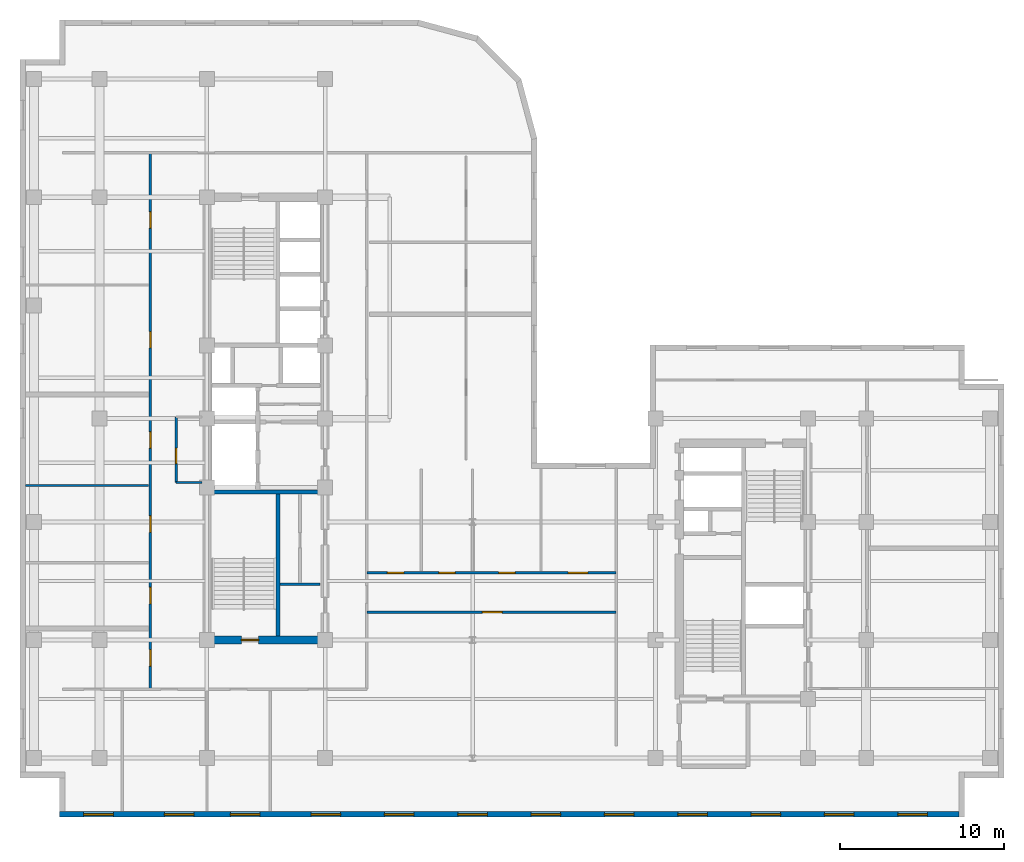
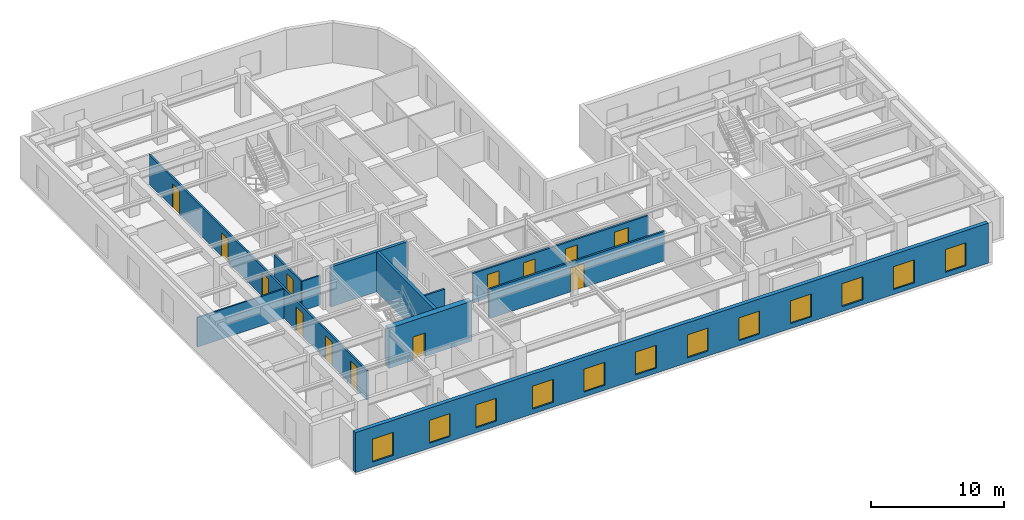
# One storey, part 4 of 11: 13 doors, 12 windows, 11 walls, 25 openings.
"""IFC4 building model written with IfcOpenShell, lengths in metres."""

from ifc_helpers import new_model, entity, si_unit, converted_unit, direction, frame, origin_with_axes, origin_2d_with_axis, place, context, subcontext, project, spatial, polyline, rectangle, outline, extrude, material, layer, layer_set, type_object, element, fill, save


model = new_model("IFC4")

# Units and contexts
model_context = context("Model", 3, precision=1e-05, world=origin_with_axes(), true_north=direction((0.0, 1.0)))
body_context = subcontext(model_context, "Body", "Model", "MODEL_VIEW")
ifc_project = project(units=[si_unit("LENGTHUNIT", "METRE"), si_unit("AREAUNIT", "SQUARE_METRE"), si_unit("VOLUMEUNIT", "CUBIC_METRE"), converted_unit("PLANEANGLEUNIT", "DEGREE", entity("IfcPlaneAngleMeasure", 0.017453292519943295), si_unit("PLANEANGLEUNIT", "RADIAN"), dimensions=[0, 0, 0, 0, 0, 0, 0]), si_unit("MASSUNIT", "GRAM", prefix="KILO"), si_unit("THERMODYNAMICTEMPERATUREUNIT", "KELVIN")], contexts=[model_context])

# Site, building, storey
site_placement = place(None, origin_with_axes())
site = spatial("IfcSite", under=ifc_project, at=site_placement, CompositionType="ELEMENT")
building_placement = place(site_placement, origin_with_axes())
building = spatial("IfcBuilding", under=site, at=building_placement, Name="Varnlund Millrace Tower", CompositionType="ELEMENT")
storey_placement = place(building_placement, frame((0.0, 0.0, 212.1), z_axis=(0.0, 0.0, 1.0), x_axis=(1.0, 0.0, 0.0)))
storey = spatial("IfcBuildingStorey", under=building, at=storey_placement, Name="L52", CompositionType="ELEMENT", Elevation=212.1)

# Wall, opening, door
ifc_material_1 = material(Name="Concrete C70/85", Category="concrete")
ifc_layer_1 = layer(ifc_material_1, 0.5, Name="Concrete C70/85")
ifc_layer_set_1 = layer_set([ifc_layer_1], Name="Concrete C70/85")
wall_type_1 = type_object("IfcWallType", Name="Type-CoreWall-Shear-500-C70", PredefinedType="SHEAR", material=ifc_layer_set_1)
wall_1_placement = place(storey_placement, frame((11.4, 10.8, 0.0), z_axis=(0.0, 0.0, 1.0), x_axis=(1.0, 0.0, 0.0)))
wall_1 = element("IfcWall", 1, at=wall_1_placement, inside=storey, type_object=wall_type_1, Name="Type-CoreWall-Shear-500-C70", PredefinedType="SHEAR", context=body_context, shape_type="SweptSolid", body=[
    extrude(outline(polyline([(0.0, -0.25), (7.2, -0.25), (7.2, 0.25), (0.0, 0.25), (0.0, -0.25)])), origin_with_axes(), (0.0, 0.0, 1.0), 3.66),
])
opening_1_placement = place(wall_1_placement, frame((2.625, 0.0, 0.0), z_axis=(0.0, 0.0, 1.0), x_axis=(1.0, 0.0, 0.0)))
opening_1 = element("IfcOpeningElement", 2, at=opening_1_placement, cuts=wall_1, Name="Opening L52:DR-STA1", PredefinedType="OPENING", context=body_context, shape_type="SweptSolid", body=[
    extrude(rectangle(XDim=1.05, YDim=0.52, at=origin_2d_with_axis()), origin_with_axes(), (0.0, 0.0, 1.0), 2.15),
])
ifc_material_2 = material(Name="Fire-rated hollow steel door", Category="steel")
door_type_1 = type_object("IfcDoorType", Name="Type-FireDoor-Stair-1050X2150", OperationType="NOTDEFINED", PredefinedType="DOOR", material=ifc_material_2)
door_1_placement = place(wall_1_placement, frame((2.625, 0.0, 0.0), z_axis=(0.0, 0.0, 1.0), x_axis=(1.0, 0.0, 0.0)))
door_1 = element("IfcDoor", 3, at=door_1_placement, inside=storey, type_object=door_type_1, Name="Type-FireDoor-Stair-1050X2150", OperationType="SINGLE_SWING_LEFT", OverallHeight=2.15, OverallWidth=1.05, PredefinedType="DOOR", context=body_context, shape_type="SweptSolid", body=[
    extrude(rectangle(XDim=1.05, YDim=0.09, at=origin_2d_with_axis()), origin_with_axes(), (0.0, 0.0, 1.0), 2.15),
])
fill(opening_1, door_1)

# Wall, openings, windows
ifc_material_3 = material(Name="Precast concrete C50/60", Category="concrete")
ifc_layer_2 = layer(ifc_material_3, 0.34, Name="Precast concrete C50/60")
ifc_layer_set_2 = layer_set([ifc_layer_2], Name="Precast concrete C50/60")
wall_type_2 = type_object("IfcWallType", Name="Type-ExtWall-Precast-Upper-340", PredefinedType="SOLIDWALL", material=ifc_layer_set_2)
wall_2_placement = place(storey_placement, frame((57.26, 0.17, 0.0), z_axis=(0.0, 0.0, 1.0), x_axis=(-1.0, 0.0, 0.0)))
wall_2 = element("IfcWall", 4, at=wall_2_placement, inside=storey, type_object=wall_type_2, Name="Type-ExtWall-Precast-Upper-340", PredefinedType="SOLIDWALL", context=body_context, shape_type="SweptSolid", body=[
    extrude(outline(polyline([(0.0, -0.17), (54.86, -0.17), (54.86, 0.17), (0.0, 0.17), (0.0, -0.17)])), origin_with_axes(), (0.0, 0.0, 1.0), 3.66),
])
opening_2_placement = place(wall_2_placement, frame((2.836, 0.0, 0.45), z_axis=(0.0, 0.0, 1.0), x_axis=(1.0, 0.0, 0.0)))
opening_2 = element("IfcOpeningElement", 5, at=opening_2_placement, cuts=wall_2, Name="Opening L52:WN-08", PredefinedType="OPENING", context=body_context, shape_type="SweptSolid", body=[
    extrude(rectangle(XDim=1.8, YDim=0.36, at=origin_2d_with_axis()), origin_with_axes(), (0.0, 0.0, 1.0), 2.1),
])
opening_3_placement = place(wall_2_placement, frame((7.307, 0.0, 0.45), z_axis=(0.0, 0.0, 1.0), x_axis=(1.0, 0.0, 0.0)))
opening_3 = element("IfcOpeningElement", 6, at=opening_3_placement, cuts=wall_2, Name="Opening L52:WN-09", PredefinedType="OPENING", context=body_context, shape_type="SweptSolid", body=[
    extrude(rectangle(XDim=1.8, YDim=0.36, at=origin_2d_with_axis()), origin_with_axes(), (0.0, 0.0, 1.0), 2.1),
])
opening_4_placement = place(wall_2_placement, frame((11.779, 0.0, 0.45), z_axis=(0.0, 0.0, 1.0), x_axis=(1.0, 0.0, 0.0)))
opening_4 = element("IfcOpeningElement", 7, at=opening_4_placement, cuts=wall_2, Name="Opening L52:WN-10", PredefinedType="OPENING", context=body_context, shape_type="SweptSolid", body=[
    extrude(rectangle(XDim=1.8, YDim=0.36, at=origin_2d_with_axis()), origin_with_axes(), (0.0, 0.0, 1.0), 2.1),
])
opening_5_placement = place(wall_2_placement, frame((16.251, 0.0, 0.45), z_axis=(0.0, 0.0, 1.0), x_axis=(1.0, 0.0, 0.0)))
opening_5 = element("IfcOpeningElement", 8, at=opening_5_placement, cuts=wall_2, Name="Opening L52:WN-11", PredefinedType="OPENING", context=body_context, shape_type="SweptSolid", body=[
    extrude(rectangle(XDim=1.8, YDim=0.36, at=origin_2d_with_axis()), origin_with_axes(), (0.0, 0.0, 1.0), 2.1),
])
opening_6_placement = place(wall_2_placement, frame((20.723, 0.0, 0.45), z_axis=(0.0, 0.0, 1.0), x_axis=(1.0, 0.0, 0.0)))
opening_6 = element("IfcOpeningElement", 9, at=opening_6_placement, cuts=wall_2, Name="Opening L52:WN-12", PredefinedType="OPENING", context=body_context, shape_type="SweptSolid", body=[
    extrude(rectangle(XDim=1.8, YDim=0.36, at=origin_2d_with_axis()), origin_with_axes(), (0.0, 0.0, 1.0), 2.1),
])
opening_7_placement = place(wall_2_placement, frame((25.194, 0.0, 0.45), z_axis=(0.0, 0.0, 1.0), x_axis=(1.0, 0.0, 0.0)))
opening_7 = element("IfcOpeningElement", 10, at=opening_7_placement, cuts=wall_2, Name="Opening L52:WN-13", PredefinedType="OPENING", context=body_context, shape_type="SweptSolid", body=[
    extrude(rectangle(XDim=1.8, YDim=0.36, at=origin_2d_with_axis()), origin_with_axes(), (0.0, 0.0, 1.0), 2.1),
])
opening_8_placement = place(wall_2_placement, frame((29.666, 0.0, 0.45), z_axis=(0.0, 0.0, 1.0), x_axis=(1.0, 0.0, 0.0)))
opening_8 = element("IfcOpeningElement", 11, at=opening_8_placement, cuts=wall_2, Name="Opening L52:WN-14", PredefinedType="OPENING", context=body_context, shape_type="SweptSolid", body=[
    extrude(rectangle(XDim=1.8, YDim=0.36, at=origin_2d_with_axis()), origin_with_axes(), (0.0, 0.0, 1.0), 2.1),
])
opening_9_placement = place(wall_2_placement, frame((34.138, 0.0, 0.45), z_axis=(0.0, 0.0, 1.0), x_axis=(1.0, 0.0, 0.0)))
opening_9 = element("IfcOpeningElement", 12, at=opening_9_placement, cuts=wall_2, Name="Opening L52:WN-15", PredefinedType="OPENING", context=body_context, shape_type="SweptSolid", body=[
    extrude(rectangle(XDim=1.8, YDim=0.36, at=origin_2d_with_axis()), origin_with_axes(), (0.0, 0.0, 1.0), 2.1),
])
opening_10_placement = place(wall_2_placement, frame((38.609, 0.0, 0.45), z_axis=(0.0, 0.0, 1.0), x_axis=(1.0, 0.0, 0.0)))
opening_10 = element("IfcOpeningElement", 13, at=opening_10_placement, cuts=wall_2, Name="Opening L52:WN-16", PredefinedType="OPENING", context=body_context, shape_type="SweptSolid", body=[
    extrude(rectangle(XDim=1.8, YDim=0.36, at=origin_2d_with_axis()), origin_with_axes(), (0.0, 0.0, 1.0), 2.1),
])
opening_11_placement = place(wall_2_placement, frame((43.531, 0.0, 0.45), z_axis=(0.0, 0.0, 1.0), x_axis=(1.0, 0.0, 0.0)))
opening_11 = element("IfcOpeningElement", 14, at=opening_11_placement, cuts=wall_2, Name="Opening L52:WN-17", PredefinedType="OPENING", context=body_context, shape_type="SweptSolid", body=[
    extrude(rectangle(XDim=1.8, YDim=0.36, at=origin_2d_with_axis()), origin_with_axes(), (0.0, 0.0, 1.0), 2.1),
])
opening_12_placement = place(wall_2_placement, frame((47.553, 0.0, 0.45), z_axis=(0.0, 0.0, 1.0), x_axis=(1.0, 0.0, 0.0)))
opening_12 = element("IfcOpeningElement", 15, at=opening_12_placement, cuts=wall_2, Name="Opening L52:WN-18", PredefinedType="OPENING", context=body_context, shape_type="SweptSolid", body=[
    extrude(rectangle(XDim=1.8, YDim=0.36, at=origin_2d_with_axis()), origin_with_axes(), (0.0, 0.0, 1.0), 2.1),
])
opening_13_placement = place(wall_2_placement, frame((52.474, 0.0, 0.45), z_axis=(0.0, 0.0, 1.0), x_axis=(1.0, 0.0, 0.0)))
opening_13 = element("IfcOpeningElement", 16, at=opening_13_placement, cuts=wall_2, Name="Opening L52:WN-19", PredefinedType="OPENING", context=body_context, shape_type="SweptSolid", body=[
    extrude(rectangle(XDim=1.8, YDim=0.36, at=origin_2d_with_axis()), origin_with_axes(), (0.0, 0.0, 1.0), 2.1),
])
ifc_material_4 = material(Name="Argon low-e triple glazing in thermally broken bronze frame", Category="glass")
window_type = type_object("IfcWindowType", Name="Type-Window-Punched-1800X2100", PartitioningType="SINGLE_PANEL", PredefinedType="WINDOW", material=ifc_material_4)
window_1_placement = place(wall_2_placement, frame((2.836, 0.0, 0.45), z_axis=(0.0, 0.0, 1.0), x_axis=(1.0, 0.0, 0.0)))
window_1 = element("IfcWindow", 17, at=window_1_placement, inside=storey, type_object=window_type, Name="Type-Window-Punched-1800X2100", OverallHeight=2.1, OverallWidth=1.8, PredefinedType="WINDOW", context=body_context, shape_type="SweptSolid", body=[
    extrude(rectangle(XDim=1.8, YDim=0.09, at=origin_2d_with_axis()), origin_with_axes(), (0.0, 0.0, 1.0), 2.1),
])
fill(opening_2, window_1)
window_2_placement = place(wall_2_placement, frame((7.307, 0.0, 0.45), z_axis=(0.0, 0.0, 1.0), x_axis=(1.0, 0.0, 0.0)))
window_2 = element("IfcWindow", 18, at=window_2_placement, inside=storey, type_object=window_type, Name="Type-Window-Punched-1800X2100", OverallHeight=2.1, OverallWidth=1.8, PredefinedType="WINDOW", context=body_context, shape_type="SweptSolid", body=[
    extrude(rectangle(XDim=1.8, YDim=0.09, at=origin_2d_with_axis()), origin_with_axes(), (0.0, 0.0, 1.0), 2.1),
])
fill(opening_3, window_2)
window_3_placement = place(wall_2_placement, frame((11.779, 0.0, 0.45), z_axis=(0.0, 0.0, 1.0), x_axis=(1.0, 0.0, 0.0)))
window_3 = element("IfcWindow", 19, at=window_3_placement, inside=storey, type_object=window_type, Name="Type-Window-Punched-1800X2100", OverallHeight=2.1, OverallWidth=1.8, PredefinedType="WINDOW", context=body_context, shape_type="SweptSolid", body=[
    extrude(rectangle(XDim=1.8, YDim=0.09, at=origin_2d_with_axis()), origin_with_axes(), (0.0, 0.0, 1.0), 2.1),
])
fill(opening_4, window_3)
window_4_placement = place(wall_2_placement, frame((16.251, 0.0, 0.45), z_axis=(0.0, 0.0, 1.0), x_axis=(1.0, 0.0, 0.0)))
window_4 = element("IfcWindow", 20, at=window_4_placement, inside=storey, type_object=window_type, Name="Type-Window-Punched-1800X2100", OverallHeight=2.1, OverallWidth=1.8, PredefinedType="WINDOW", context=body_context, shape_type="SweptSolid", body=[
    extrude(rectangle(XDim=1.8, YDim=0.09, at=origin_2d_with_axis()), origin_with_axes(), (0.0, 0.0, 1.0), 2.1),
])
fill(opening_5, window_4)
window_5_placement = place(wall_2_placement, frame((20.723, 0.0, 0.45), z_axis=(0.0, 0.0, 1.0), x_axis=(1.0, 0.0, 0.0)))
window_5 = element("IfcWindow", 21, at=window_5_placement, inside=storey, type_object=window_type, Name="Type-Window-Punched-1800X2100", OverallHeight=2.1, OverallWidth=1.8, PredefinedType="WINDOW", context=body_context, shape_type="SweptSolid", body=[
    extrude(rectangle(XDim=1.8, YDim=0.09, at=origin_2d_with_axis()), origin_with_axes(), (0.0, 0.0, 1.0), 2.1),
])
fill(opening_6, window_5)
window_6_placement = place(wall_2_placement, frame((25.194, 0.0, 0.45), z_axis=(0.0, 0.0, 1.0), x_axis=(1.0, 0.0, 0.0)))
window_6 = element("IfcWindow", 22, at=window_6_placement, inside=storey, type_object=window_type, Name="Type-Window-Punched-1800X2100", OverallHeight=2.1, OverallWidth=1.8, PredefinedType="WINDOW", context=body_context, shape_type="SweptSolid", body=[
    extrude(rectangle(XDim=1.8, YDim=0.09, at=origin_2d_with_axis()), origin_with_axes(), (0.0, 0.0, 1.0), 2.1),
])
fill(opening_7, window_6)
window_7_placement = place(wall_2_placement, frame((29.666, 0.0, 0.45), z_axis=(0.0, 0.0, 1.0), x_axis=(1.0, 0.0, 0.0)))
window_7 = element("IfcWindow", 23, at=window_7_placement, inside=storey, type_object=window_type, Name="Type-Window-Punched-1800X2100", OverallHeight=2.1, OverallWidth=1.8, PredefinedType="WINDOW", context=body_context, shape_type="SweptSolid", body=[
    extrude(rectangle(XDim=1.8, YDim=0.09, at=origin_2d_with_axis()), origin_with_axes(), (0.0, 0.0, 1.0), 2.1),
])
fill(opening_8, window_7)
window_8_placement = place(wall_2_placement, frame((34.138, 0.0, 0.45), z_axis=(0.0, 0.0, 1.0), x_axis=(1.0, 0.0, 0.0)))
window_8 = element("IfcWindow", 24, at=window_8_placement, inside=storey, type_object=window_type, Name="Type-Window-Punched-1800X2100", OverallHeight=2.1, OverallWidth=1.8, PredefinedType="WINDOW", context=body_context, shape_type="SweptSolid", body=[
    extrude(rectangle(XDim=1.8, YDim=0.09, at=origin_2d_with_axis()), origin_with_axes(), (0.0, 0.0, 1.0), 2.1),
])
fill(opening_9, window_8)
window_9_placement = place(wall_2_placement, frame((38.609, 0.0, 0.45), z_axis=(0.0, 0.0, 1.0), x_axis=(1.0, 0.0, 0.0)))
window_9 = element("IfcWindow", 25, at=window_9_placement, inside=storey, type_object=window_type, Name="Type-Window-Punched-1800X2100", OverallHeight=2.1, OverallWidth=1.8, PredefinedType="WINDOW", context=body_context, shape_type="SweptSolid", body=[
    extrude(rectangle(XDim=1.8, YDim=0.09, at=origin_2d_with_axis()), origin_with_axes(), (0.0, 0.0, 1.0), 2.1),
])
fill(opening_10, window_9)
window_10_placement = place(wall_2_placement, frame((43.531, 0.0, 0.45), z_axis=(0.0, 0.0, 1.0), x_axis=(1.0, 0.0, 0.0)))
window_10 = element("IfcWindow", 26, at=window_10_placement, inside=storey, type_object=window_type, Name="Type-Window-Punched-1800X2100", OverallHeight=2.1, OverallWidth=1.8, PredefinedType="WINDOW", context=body_context, shape_type="SweptSolid", body=[
    extrude(rectangle(XDim=1.8, YDim=0.09, at=origin_2d_with_axis()), origin_with_axes(), (0.0, 0.0, 1.0), 2.1),
])
fill(opening_11, window_10)
window_11_placement = place(wall_2_placement, frame((47.553, 0.0, 0.45), z_axis=(0.0, 0.0, 1.0), x_axis=(1.0, 0.0, 0.0)))
window_11 = element("IfcWindow", 27, at=window_11_placement, inside=storey, type_object=window_type, Name="Type-Window-Punched-1800X2100", OverallHeight=2.1, OverallWidth=1.8, PredefinedType="WINDOW", context=body_context, shape_type="SweptSolid", body=[
    extrude(rectangle(XDim=1.8, YDim=0.09, at=origin_2d_with_axis()), origin_with_axes(), (0.0, 0.0, 1.0), 2.1),
])
fill(opening_12, window_11)
window_12_placement = place(wall_2_placement, frame((52.474, 0.0, 0.45), z_axis=(0.0, 0.0, 1.0), x_axis=(1.0, 0.0, 0.0)))
window_12 = element("IfcWindow", 28, at=window_12_placement, inside=storey, type_object=window_type, Name="Type-Window-Punched-1800X2100", OverallHeight=2.1, OverallWidth=1.8, PredefinedType="WINDOW", context=body_context, shape_type="SweptSolid", body=[
    extrude(rectangle(XDim=1.8, YDim=0.09, at=origin_2d_with_axis()), origin_with_axes(), (0.0, 0.0, 1.0), 2.1),
])
fill(opening_13, window_12)

# Wall
ifc_material_5 = material(Name="Fire-rated gypsum board on cold-formed steel framing", Category="steel")
ifc_layer_3 = layer(ifc_material_5, 0.16, Name="Fire-rated gypsum board on cold-formed steel framing")
ifc_layer_set_3 = layer_set([ifc_layer_3], Name="Fire-rated gypsum board on cold-formed steel framing")
wall_type_3 = type_object("IfcWallType", Name="Type-Partition-Corridor-160", PredefinedType="PARTITIONING", material=ifc_layer_set_3)
wall_3_placement = place(storey_placement, frame((15.84, 14.2, 0.0), z_axis=(0.0, 0.0, 1.0), x_axis=(1.0, 0.0, 0.0)))
element("IfcWall", 29, at=wall_3_placement, inside=storey, type_object=wall_type_3, Name="Type-Partition-Corridor-160", PredefinedType="PARTITIONING", context=body_context, shape_type="SweptSolid", body=[
    extrude(outline(polyline([(0.0, -0.08), (2.46, -0.08), (2.46, 0.08), (0.0, 0.08), (0.0, -0.08)])), origin_with_axes(), (0.0, 0.0, 1.0), 2.7),
])

# Wall, openings, doors
wall_4_placement = place(storey_placement, frame((7.95, 7.8, 0.0), z_axis=(0.0, 0.0, 1.0), x_axis=(0.0, 1.0, 0.0)))
wall_4 = element("IfcWall", 30, at=wall_4_placement, inside=storey, type_object=wall_type_3, Name="Type-Partition-Corridor-160", PredefinedType="PARTITIONING", context=body_context, shape_type="SweptSolid", body=[
    extrude(outline(polyline([(0.0, -0.08), (32.7, -0.08), (32.7, 0.08), (0.0, 0.08), (0.0, -0.08)])), origin_with_axes(), (0.0, 0.0, 1.0), 2.7),
])
opening_14_placement = place(wall_4_placement, frame((1.9145, 0.0, 0.0), z_axis=(0.0, 0.0, 1.0), x_axis=(1.0, 0.0, 0.0)))
opening_14 = element("IfcOpeningElement", 31, at=opening_14_placement, cuts=wall_4, Name="Opening L52:DR-W-01", PredefinedType="OPENING", context=body_context, shape_type="SweptSolid", body=[
    extrude(rectangle(XDim=1.0, YDim=0.18, at=origin_2d_with_axis()), origin_with_axes(), (0.0, 0.0, 1.0), 2.15),
])
opening_15_placement = place(wall_4_placement, frame((5.705, 0.0, 0.0), z_axis=(0.0, 0.0, 1.0), x_axis=(1.0, 0.0, 0.0)))
opening_15 = element("IfcOpeningElement", 32, at=opening_15_placement, cuts=wall_4, Name="Opening L52:DR-W-02", PredefinedType="OPENING", context=body_context, shape_type="SweptSolid", body=[
    extrude(rectangle(XDim=1.0, YDim=0.18, at=origin_2d_with_axis()), origin_with_axes(), (0.0, 0.0, 1.0), 2.15),
])
opening_16_placement = place(wall_4_placement, frame((10.066, 0.0, 0.0), z_axis=(0.0, 0.0, 1.0), x_axis=(1.0, 0.0, 0.0)))
opening_16 = element("IfcOpeningElement", 33, at=opening_16_placement, cuts=wall_4, Name="Opening L52:DR-W-03", PredefinedType="OPENING", context=body_context, shape_type="SweptSolid", body=[
    extrude(rectangle(XDim=1.0, YDim=0.18, at=origin_2d_with_axis()), origin_with_axes(), (0.0, 0.0, 1.0), 2.15),
])
opening_17_placement = place(wall_4_placement, frame((15.195, 0.0, 0.0), z_axis=(0.0, 0.0, 1.0), x_axis=(1.0, 0.0, 0.0)))
opening_17 = element("IfcOpeningElement", 34, at=opening_17_placement, cuts=wall_4, Name="Opening L52:DR-W-04", PredefinedType="OPENING", context=body_context, shape_type="SweptSolid", body=[
    extrude(rectangle(XDim=1.0, YDim=0.18, at=origin_2d_with_axis()), origin_with_axes(), (0.0, 0.0, 1.0), 2.15),
])
opening_18_placement = place(wall_4_placement, frame((21.311, 0.0, 0.0), z_axis=(0.0, 0.0, 1.0), x_axis=(1.0, 0.0, 0.0)))
opening_18 = element("IfcOpeningElement", 35, at=opening_18_placement, cuts=wall_4, Name="Opening L52:DR-W-05", PredefinedType="OPENING", context=body_context, shape_type="SweptSolid", body=[
    extrude(rectangle(XDim=1.0, YDim=0.18, at=origin_2d_with_axis()), origin_with_axes(), (0.0, 0.0, 1.0), 2.15),
])
opening_19_placement = place(wall_4_placement, frame((28.6115, 0.0, 0.0), z_axis=(0.0, 0.0, 1.0), x_axis=(1.0, 0.0, 0.0)))
opening_19 = element("IfcOpeningElement", 36, at=opening_19_placement, cuts=wall_4, Name="Opening L52:DR-W-06", PredefinedType="OPENING", context=body_context, shape_type="SweptSolid", body=[
    extrude(rectangle(XDim=1.0, YDim=0.18, at=origin_2d_with_axis()), origin_with_axes(), (0.0, 0.0, 1.0), 2.15),
])
ifc_material_6 = material(Name="Solid-core white oak and bronze frame door")
door_type_2 = type_object("IfcDoorType", Name="Type-IntDoor-Office-1000X2150", OperationType="NOTDEFINED", PredefinedType="DOOR", material=ifc_material_6)
door_2_placement = place(wall_4_placement, frame((1.9145, 0.0, 0.0), z_axis=(0.0, 0.0, 1.0), x_axis=(1.0, 0.0, 0.0)))
door_2 = element("IfcDoor", 37, at=door_2_placement, inside=storey, type_object=door_type_2, Name="Type-IntDoor-Office-1000X2150", OperationType="SINGLE_SWING_LEFT", OverallHeight=2.15, OverallWidth=1.0, PredefinedType="DOOR", context=body_context, shape_type="SweptSolid", body=[
    extrude(rectangle(XDim=1.0, YDim=0.09, at=origin_2d_with_axis()), origin_with_axes(), (0.0, 0.0, 1.0), 2.15),
])
fill(opening_14, door_2)
door_3_placement = place(wall_4_placement, frame((5.705, 0.0, 0.0), z_axis=(0.0, 0.0, 1.0), x_axis=(1.0, 0.0, 0.0)))
door_3 = element("IfcDoor", 38, at=door_3_placement, inside=storey, type_object=door_type_2, Name="Type-IntDoor-Office-1000X2150", OperationType="SINGLE_SWING_RIGHT", OverallHeight=2.15, OverallWidth=1.0, PredefinedType="DOOR", context=body_context, shape_type="SweptSolid", body=[
    extrude(rectangle(XDim=1.0, YDim=0.09, at=origin_2d_with_axis()), origin_with_axes(), (0.0, 0.0, 1.0), 2.15),
])
fill(opening_15, door_3)
door_4_placement = place(wall_4_placement, frame((10.066, 0.0, 0.0), z_axis=(0.0, 0.0, 1.0), x_axis=(1.0, 0.0, 0.0)))
door_4 = element("IfcDoor", 39, at=door_4_placement, inside=storey, type_object=door_type_2, Name="Type-IntDoor-Office-1000X2150", OperationType="SINGLE_SWING_LEFT", OverallHeight=2.15, OverallWidth=1.0, PredefinedType="DOOR", context=body_context, shape_type="SweptSolid", body=[
    extrude(rectangle(XDim=1.0, YDim=0.09, at=origin_2d_with_axis()), origin_with_axes(), (0.0, 0.0, 1.0), 2.15),
])
fill(opening_16, door_4)
door_5_placement = place(wall_4_placement, frame((15.195, 0.0, 0.0), z_axis=(0.0, 0.0, 1.0), x_axis=(1.0, 0.0, 0.0)))
door_5 = element("IfcDoor", 40, at=door_5_placement, inside=storey, type_object=door_type_2, Name="Type-IntDoor-Office-1000X2150", OperationType="SINGLE_SWING_RIGHT", OverallHeight=2.15, OverallWidth=1.0, PredefinedType="DOOR", context=body_context, shape_type="SweptSolid", body=[
    extrude(rectangle(XDim=1.0, YDim=0.09, at=origin_2d_with_axis()), origin_with_axes(), (0.0, 0.0, 1.0), 2.15),
])
fill(opening_17, door_5)
door_6_placement = place(wall_4_placement, frame((21.311, 0.0, 0.0), z_axis=(0.0, 0.0, 1.0), x_axis=(1.0, 0.0, 0.0)))
door_6 = element("IfcDoor", 41, at=door_6_placement, inside=storey, type_object=door_type_2, Name="Type-IntDoor-Office-1000X2150", OperationType="SINGLE_SWING_LEFT", OverallHeight=2.15, OverallWidth=1.0, PredefinedType="DOOR", context=body_context, shape_type="SweptSolid", body=[
    extrude(rectangle(XDim=1.0, YDim=0.09, at=origin_2d_with_axis()), origin_with_axes(), (0.0, 0.0, 1.0), 2.15),
])
fill(opening_18, door_6)
door_7_placement = place(wall_4_placement, frame((28.6115, 0.0, 0.0), z_axis=(0.0, 0.0, 1.0), x_axis=(1.0, 0.0, 0.0)))
door_7 = element("IfcDoor", 42, at=door_7_placement, inside=storey, type_object=door_type_2, Name="Type-IntDoor-Office-1000X2150", OperationType="SINGLE_SWING_RIGHT", OverallHeight=2.15, OverallWidth=1.0, PredefinedType="DOOR", context=body_context, shape_type="SweptSolid", body=[
    extrude(rectangle(XDim=1.0, YDim=0.09, at=origin_2d_with_axis()), origin_with_axes(), (0.0, 0.0, 1.0), 2.15),
])
fill(opening_19, door_7)

# Wall, opening, door
wall_5_placement = place(storey_placement, frame((21.15, 12.5, 0.0), z_axis=(0.0, 0.0, 1.0), x_axis=(1.0, 0.0, 0.0)))
wall_5 = element("IfcWall", 43, at=wall_5_placement, inside=storey, type_object=wall_type_3, Name="Type-Partition-Corridor-160", PredefinedType="PARTITIONING", context=body_context, shape_type="SweptSolid", body=[
    extrude(outline(polyline([(0.0, -0.08), (15.2, -0.08), (15.2, 0.08), (0.0, 0.08), (0.0, -0.08)])), origin_with_axes(), (0.0, 0.0, 1.0), 2.7),
])
opening_20_placement = place(wall_5_placement, frame((7.65, 0.0, 0.0), z_axis=(0.0, 0.0, 1.0), x_axis=(1.0, 0.0, 0.0)))
opening_20 = element("IfcOpeningElement", 44, at=opening_20_placement, cuts=wall_5, Name="Opening L52:DR-KNS-01", PredefinedType="OPENING", context=body_context, shape_type="SweptSolid", body=[
    extrude(rectangle(XDim=1.2, YDim=0.18, at=origin_2d_with_axis()), origin_with_axes(), (0.0, 0.0, 1.0), 2.2),
])
ifc_material_7 = material(Name="Wide executive white oak acoustic door")
door_type_3 = type_object("IfcDoorType", Name="Type-IntDoor-Exec-1200X2200", OperationType="NOTDEFINED", PredefinedType="DOOR", material=ifc_material_7)
door_8_placement = place(wall_5_placement, frame((7.65, 0.0, 0.0), z_axis=(0.0, 0.0, 1.0), x_axis=(1.0, 0.0, 0.0)))
door_8 = element("IfcDoor", 45, at=door_8_placement, inside=storey, type_object=door_type_3, Name="Type-IntDoor-Exec-1200X2200", OperationType="SINGLE_SWING_LEFT", OverallHeight=2.2, OverallWidth=1.2, PredefinedType="DOOR", context=body_context, shape_type="SweptSolid", body=[
    extrude(rectangle(XDim=1.2, YDim=0.09, at=origin_2d_with_axis()), origin_with_axes(), (0.0, 0.0, 1.0), 2.2),
])
fill(opening_20, door_8)

# Wall, openings, doors
wall_6_placement = place(storey_placement, frame((21.15, 14.9, 0.0), z_axis=(0.0, 0.0, 1.0), x_axis=(1.0, 0.0, 0.0)))
wall_6 = element("IfcWall", 46, at=wall_6_placement, inside=storey, type_object=wall_type_3, Name="Type-Partition-Corridor-160", PredefinedType="PARTITIONING", context=body_context, shape_type="SweptSolid", body=[
    extrude(outline(polyline([(0.0, -0.08), (15.2, -0.08), (15.2, 0.08), (0.0, 0.08), (0.0, -0.08)])), origin_with_axes(), (0.0, 0.0, 1.0), 2.7),
])
opening_21_placement = place(wall_6_placement, frame((1.753, 0.0, 0.0), z_axis=(0.0, 0.0, 1.0), x_axis=(1.0, 0.0, 0.0)))
opening_21 = element("IfcOpeningElement", 47, at=opening_21_placement, cuts=wall_6, Name="Opening L52:DR-KN-01", PredefinedType="OPENING", context=body_context, shape_type="SweptSolid", body=[
    extrude(rectangle(XDim=1.0, YDim=0.18, at=origin_2d_with_axis()), origin_with_axes(), (0.0, 0.0, 1.0), 2.15),
])
opening_22_placement = place(wall_6_placement, frame((4.888, 0.0, 0.0), z_axis=(0.0, 0.0, 1.0), x_axis=(1.0, 0.0, 0.0)))
opening_22 = element("IfcOpeningElement", 48, at=opening_22_placement, cuts=wall_6, Name="Opening L52:DR-KN-02", PredefinedType="OPENING", context=body_context, shape_type="SweptSolid", body=[
    extrude(rectangle(XDim=1.0, YDim=0.18, at=origin_2d_with_axis()), origin_with_axes(), (0.0, 0.0, 1.0), 2.15),
])
opening_23_placement = place(wall_6_placement, frame((8.534, 0.0, 0.0), z_axis=(0.0, 0.0, 1.0), x_axis=(1.0, 0.0, 0.0)))
opening_23 = element("IfcOpeningElement", 49, at=opening_23_placement, cuts=wall_6, Name="Opening L52:DR-KN-03", PredefinedType="OPENING", context=body_context, shape_type="SweptSolid", body=[
    extrude(rectangle(XDim=1.0, YDim=0.18, at=origin_2d_with_axis()), origin_with_axes(), (0.0, 0.0, 1.0), 2.15),
])
opening_24_placement = place(wall_6_placement, frame((12.869, 0.0, 0.0), z_axis=(0.0, 0.0, 1.0), x_axis=(1.0, 0.0, 0.0)))
opening_24 = element("IfcOpeningElement", 50, at=opening_24_placement, cuts=wall_6, Name="Opening L52:DR-KN-04", PredefinedType="OPENING", context=body_context, shape_type="SweptSolid", body=[
    extrude(rectangle(XDim=1.2, YDim=0.18, at=origin_2d_with_axis()), origin_with_axes(), (0.0, 0.0, 1.0), 2.2),
])
door_9_placement = place(wall_6_placement, frame((12.869, 0.0, 0.0), z_axis=(0.0, 0.0, 1.0), x_axis=(1.0, 0.0, 0.0)))
door_9 = element("IfcDoor", 51, at=door_9_placement, inside=storey, type_object=door_type_3, Name="Type-IntDoor-Exec-1200X2200", OperationType="SINGLE_SWING_RIGHT", OverallHeight=2.2, OverallWidth=1.2, PredefinedType="DOOR", context=body_context, shape_type="SweptSolid", body=[
    extrude(rectangle(XDim=1.2, YDim=0.09, at=origin_2d_with_axis()), origin_with_axes(), (0.0, 0.0, 1.0), 2.2),
])
fill(opening_24, door_9)
door_10_placement = place(wall_6_placement, frame((1.753, 0.0, 0.0), z_axis=(0.0, 0.0, 1.0), x_axis=(1.0, 0.0, 0.0)))
door_10 = element("IfcDoor", 52, at=door_10_placement, inside=storey, type_object=door_type_2, Name="Type-IntDoor-Office-1000X2150", OperationType="SINGLE_SWING_LEFT", OverallHeight=2.15, OverallWidth=1.0, PredefinedType="DOOR", context=body_context, shape_type="SweptSolid", body=[
    extrude(rectangle(XDim=1.0, YDim=0.09, at=origin_2d_with_axis()), origin_with_axes(), (0.0, 0.0, 1.0), 2.15),
])
fill(opening_21, door_10)
door_11_placement = place(wall_6_placement, frame((4.888, 0.0, 0.0), z_axis=(0.0, 0.0, 1.0), x_axis=(1.0, 0.0, 0.0)))
door_11 = element("IfcDoor", 53, at=door_11_placement, inside=storey, type_object=door_type_2, Name="Type-IntDoor-Office-1000X2150", OperationType="SINGLE_SWING_RIGHT", OverallHeight=2.15, OverallWidth=1.0, PredefinedType="DOOR", context=body_context, shape_type="SweptSolid", body=[
    extrude(rectangle(XDim=1.0, YDim=0.09, at=origin_2d_with_axis()), origin_with_axes(), (0.0, 0.0, 1.0), 2.15),
])
fill(opening_22, door_11)
door_12_placement = place(wall_6_placement, frame((8.534, 0.0, 0.0), z_axis=(0.0, 0.0, 1.0), x_axis=(1.0, 0.0, 0.0)))
door_12 = element("IfcDoor", 54, at=door_12_placement, inside=storey, type_object=door_type_2, Name="Type-IntDoor-Office-1000X2150", OperationType="SINGLE_SWING_LEFT", OverallHeight=2.15, OverallWidth=1.0, PredefinedType="DOOR", context=body_context, shape_type="SweptSolid", body=[
    extrude(rectangle(XDim=1.0, YDim=0.09, at=origin_2d_with_axis()), origin_with_axes(), (0.0, 0.0, 1.0), 2.15),
])
fill(opening_23, door_12)

# Wall
ifc_material_8 = material(Name="Gypsum board tenant partition", Category="gypsum")
ifc_layer_4 = layer(ifc_material_8, 0.125, Name="Gypsum board tenant partition")
ifc_layer_set_4 = layer_set([ifc_layer_4], Name="Gypsum board tenant partition")
wall_type_4 = type_object("IfcWallType", Name="Type-Partition-Tenant-125", PredefinedType="PARTITIONING", material=ifc_layer_set_4)
wall_7_placement = place(storey_placement, frame((0.335, 20.221, 0.0), z_axis=(0.0, 0.0, 1.0), x_axis=(1.0, 0.0, 0.0)))
element("IfcWall", 55, at=wall_7_placement, inside=storey, type_object=wall_type_4, Name="Type-Partition-Tenant-125", PredefinedType="PARTITIONING", context=body_context, shape_type="SweptSolid", body=[
    extrude(outline(polyline([(0.0, -0.0625), (7.495, -0.0625), (7.495, 0.0625), (0.0, 0.0625), (0.0, -0.0625)])), origin_with_axes(), (0.0, 0.0, 1.0), 2.7),
])

# Wall, opening, door
ifc_material_9 = material(Name="Moisture-resistant gypsum restroom partition", Category="gypsum")
ifc_layer_5 = layer(ifc_material_9, 0.14, Name="Moisture-resistant gypsum restroom partition")
ifc_layer_set_5 = layer_set([ifc_layer_5], Name="Moisture-resistant gypsum restroom partition")
wall_type_5 = type_object("IfcWallType", Name="Type-Partition-Wet-140", PredefinedType="PARTITIONING", material=ifc_layer_set_5)
wall_8_placement = place(storey_placement, frame((9.52, 20.4, 0.0), z_axis=(0.0, 0.0, 1.0), x_axis=(0.0, 1.0, 0.0)))
wall_8 = element("IfcWall", 56, at=wall_8_placement, inside=storey, type_object=wall_type_5, Name="Type-Partition-Wet-140", PredefinedType="PARTITIONING", context=body_context, shape_type="SweptSolid", body=[
    extrude(outline(polyline([(0.0, -0.07), (4.0, -0.07), (4.0, 0.07), (0.0, 0.07), (0.0, -0.07)])), origin_with_axes(), (0.0, 0.0, 1.0), 2.7),
])
opening_25_placement = place(wall_8_placement, frame((1.625, 0.0, 0.0), z_axis=(0.0, 0.0, 1.0), x_axis=(1.0, 0.0, 0.0)))
opening_25 = element("IfcOpeningElement", 57, at=opening_25_placement, cuts=wall_8, Name="Opening L52:DR-CA-WCW", PredefinedType="OPENING", context=body_context, shape_type="SweptSolid", body=[
    extrude(rectangle(XDim=0.95, YDim=0.16, at=origin_2d_with_axis()), origin_with_axes(), (0.0, 0.0, 1.0), 2.15),
])
ifc_material_10 = material(Name="Solid-core acoustic office door")
door_type_4 = type_object("IfcDoorType", Name="Type-IntDoor-Tenant-950X2150", OperationType="NOTDEFINED", PredefinedType="DOOR", material=ifc_material_10)
door_13_placement = place(wall_8_placement, frame((1.625, 0.0, 0.0), z_axis=(0.0, 0.0, 1.0), x_axis=(1.0, 0.0, 0.0)))
door_13 = element("IfcDoor", 58, at=door_13_placement, inside=storey, type_object=door_type_4, Name="Type-IntDoor-Tenant-950X2150", OperationType="SINGLE_SWING_LEFT", OverallHeight=2.15, OverallWidth=0.95, PredefinedType="DOOR", context=body_context, shape_type="SweptSolid", body=[
    extrude(rectangle(XDim=0.95, YDim=0.084, at=origin_2d_with_axis()), origin_with_axes(), (0.0, 0.0, 1.0), 2.15),
])
fill(opening_25, door_13)

# Walls
wall_9_placement = place(storey_placement, frame((9.52, 20.4, 0.0), z_axis=(0.0, 0.0, 1.0), x_axis=(1.0, 0.0, 0.0)))
element("IfcWall", 59, at=wall_9_placement, inside=storey, type_object=wall_type_5, Name="Type-Partition-Wet-140", PredefinedType="PARTITIONING", context=body_context, shape_type="SweptSolid", body=[
    extrude(outline(polyline([(0.0, -0.07), (1.58, -0.07), (1.58, 0.07), (0.0, 0.07), (0.0, -0.07)])), origin_with_axes(), (0.0, 0.0, 1.0), 2.7),
])
ifc_material_11 = material(Name="Concrete C60/75", Category="concrete")
ifc_layer_6 = layer(ifc_material_11, 0.25, Name="Concrete C60/75")
ifc_layer_set_6 = layer_set([ifc_layer_6], Name="Concrete C60/75")
wall_type_6 = type_object("IfcWallType", Name="Type-StairWall-Shear-250", PredefinedType="SHEAR", material=ifc_layer_set_6)
wall_10_placement = place(storey_placement, frame((15.725, 11.05, 0.0), z_axis=(0.0, 0.0, 1.0), x_axis=(0.0, 1.0, 0.0)))
element("IfcWall", 60, at=wall_10_placement, inside=storey, type_object=wall_type_6, Name="Type-StairWall-Shear-250", PredefinedType="SHEAR", context=body_context, shape_type="SweptSolid", body=[
    extrude(outline(polyline([(0.0, -0.125), (8.65, -0.125), (8.65, 0.125), (0.0, 0.125), (0.0, -0.125)])), origin_with_axes(), (0.0, 0.0, 1.0), 3.66),
])
wall_11_placement = place(storey_placement, frame((11.65, 19.825, 0.0), z_axis=(0.0, 0.0, 1.0), x_axis=(1.0, 0.0, 0.0)))
element("IfcWall", 61, at=wall_11_placement, inside=storey, type_object=wall_type_6, Name="Type-StairWall-Shear-250", PredefinedType="SHEAR", context=body_context, shape_type="SweptSolid", body=[
    extrude(outline(polyline([(0.0, -0.125), (6.7, -0.125), (6.7, 0.125), (0.0, 0.125), (0.0, -0.125)])), origin_with_axes(), (0.0, 0.0, 1.0), 3.66),
])

save(model, "model.ifc")
